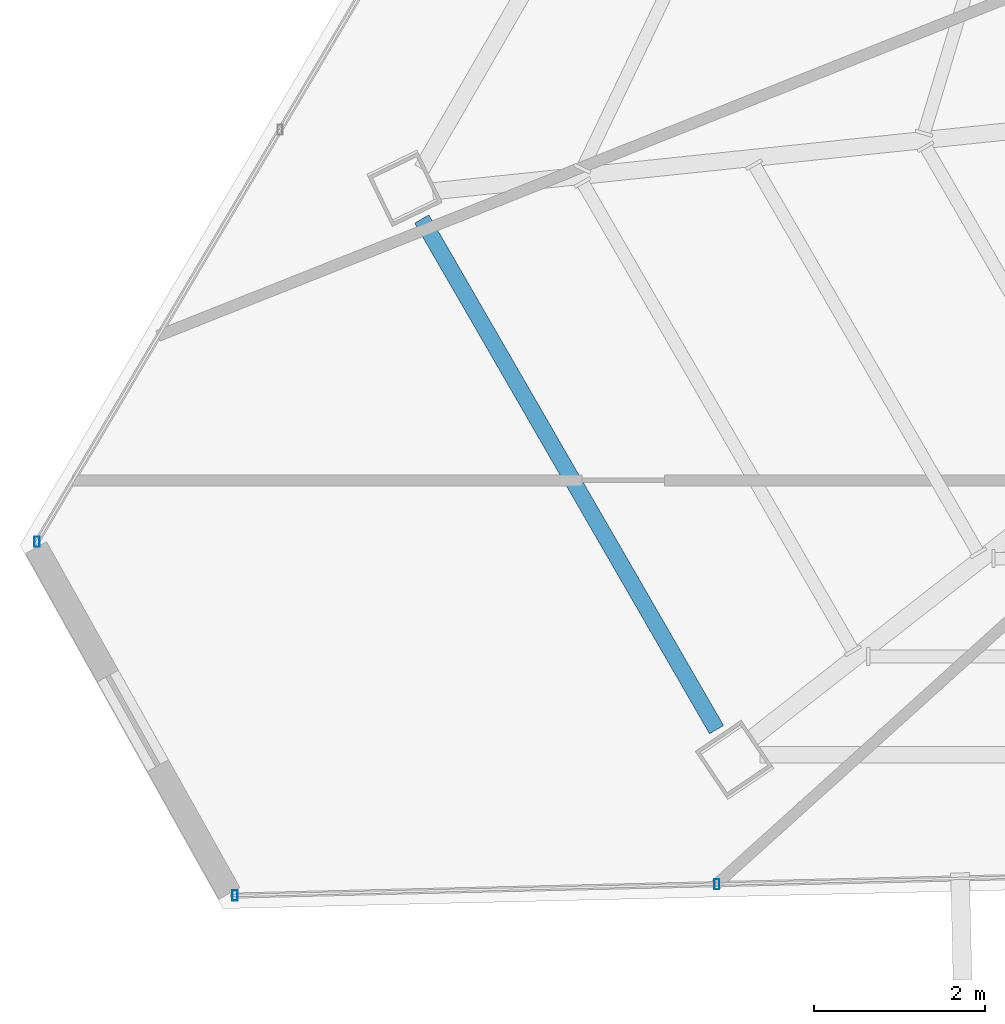
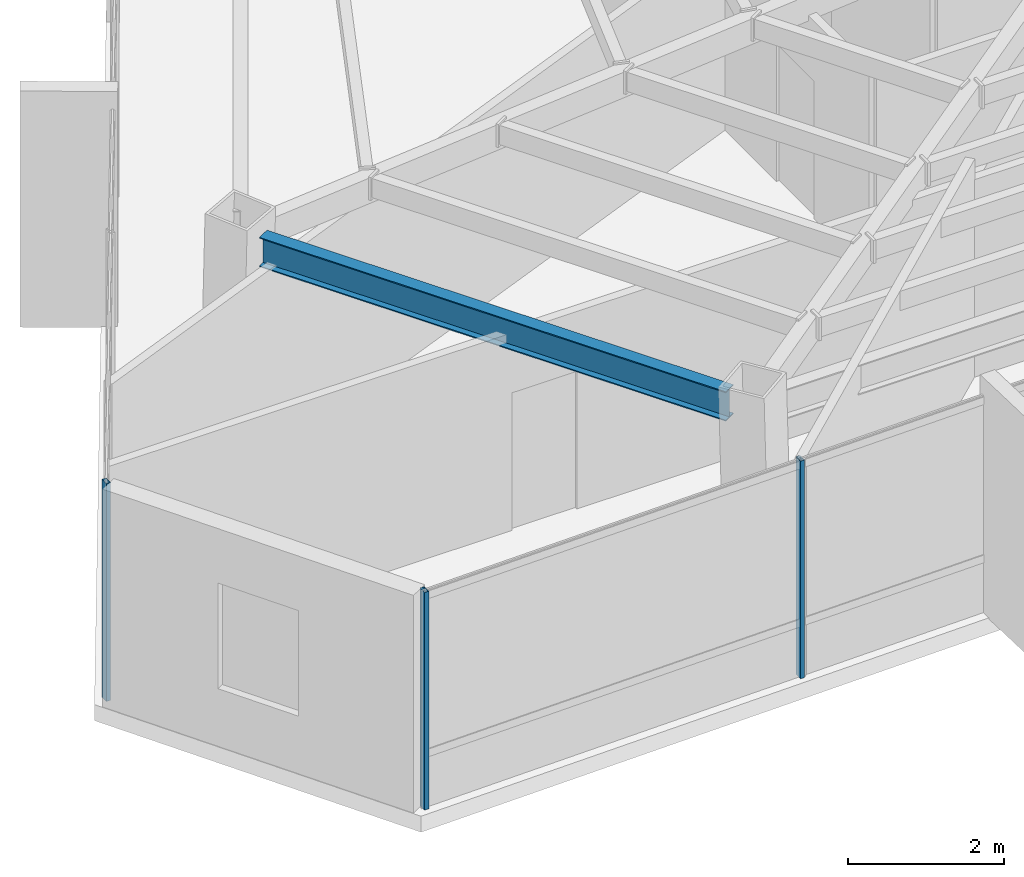
# One storey, part 3 of 47: 3 members, 1 beam, 2 elements without a shape of their own.
"""IFC4 building model written with IfcOpenShell, lengths in metres."""

from ifc_helpers import new_model, si_unit, direction, frame, origin, origin_2d, place, context, subcontext, project, spatial, hollow_rectangle, i_section, extrude, source, transform, mapped, material, material_profile, profile_set, type_object, type_shapes, element, aggregate, save


model = new_model("IFC4")

# Units and contexts
model_context = context("Model", 3, precision=1e-05, world=origin(), true_north=direction((0.0, 1.0)))
body_context = subcontext(model_context, "Body", "Model", "MODEL_VIEW")
ifc_project = project(units=[si_unit("LENGTHUNIT", "METRE"), si_unit("AREAUNIT", "SQUARE_METRE"), si_unit("VOLUMEUNIT", "CUBIC_METRE"), si_unit("PLANEANGLEUNIT", "RADIAN"), si_unit("MASSUNIT", "GRAM", prefix="KILO")], contexts=[model_context])

# Site, building, storey
site_placement = place(None, origin())
site = spatial("IfcSite", under=ifc_project, at=site_placement, CompositionType="ELEMENT")
building_placement = place(site_placement, origin())
building = spatial("IfcBuilding", under=site, at=building_placement, Name="Caelisora Broadcast Tower", CompositionType="ELEMENT")
storey_placement = place(building_placement, frame((0.0, 0.0, 255.39990234375)))
storey = spatial("IfcBuildingStorey", under=building, at=storey_placement, Name="L67", CompositionType="ELEMENT", Elevation=255.39990234375)

# Beam
ifc_material_1 = material(Name="Steel Grade 350 (AS/NZS 3679.1)", Category="steel")
ifc_material_profile_1 = material_profile(ifc_material_1, i_section(OverallWidth=0.19091796875, OverallDepth=0.46044921875, WebThickness=0.010009765625, FlangeThickness=0.01611328125, at=origin_2d()), Name="Steel Grade 350 (AS/NZS 3679.1)")
ifc_profile_set_1 = profile_set([ifc_material_profile_1], Name="Steel Grade 350 (AS/NZS 3679.1)")
beam_type = type_object("IfcBeamType", Name="PG06", PredefinedType="BEAM", material=ifc_profile_set_1)
shared_shape_1 = source(origin(), body_context, "Body", "SweptSolid", [
    extrude(i_section(OverallWidth=0.19091796875, OverallDepth=0.46044921875, WebThickness=0.010009765625, FlangeThickness=0.01611328125, at=origin_2d()), origin(), (0.0, 0.0, 1.0), 6.8896484375),
])
type_shapes(beam_type, [shared_shape_1])
beam_placement = place(storey_placement, frame((16.63671875, 15.6435546875, 3.169921875), z_axis=(0.500003634978, -0.866023305119, 0.0), x_axis=(0.866023305119, 0.500003634978, 0.0)))
element("IfcBeam", 1, at=beam_placement, inside=storey, type_object=beam_type, Name="L67 beam PG06", PredefinedType="BEAM", context=body_context, shape_type="MappedRepresentation", body=[
    mapped(shared_shape_1, transform((0.0, 0.0, 0.0), scale=1.0)),
])

# Curtain wall, members
ifc_material_2 = material(Name="Unitised Aluminium and Low-E Glass Curtain Wall", Category="glass")
curtain_wall_type = type_object("IfcCurtainWallType", Name="CW-Z5", PredefinedType="NOTDEFINED", material=ifc_material_2)
curtain_wall_1_placement = place(storey_placement, origin())
curtain_wall_1 = element("IfcCurtainWall", 2, at=curtain_wall_1_placement, inside=storey, type_object=curtain_wall_type, Name="L67 curtain wall CW-Z5", PredefinedType="NOTDEFINED")
ifc_material_3 = material(Name="Aluminium 6063-T6 Anodised Terracotta Bronze", Category="aluminium")
ifc_material_profile_2 = material_profile(ifc_material_3, hollow_rectangle(XDim=0.06005859375, YDim=0.1201171875, WallThickness=0.0029296875, at=origin_2d()), Name="Aluminium 6063-T6 Anodised Terracotta Bronze")
ifc_profile_set_2 = profile_set([ifc_material_profile_2], Name="Aluminium 6063-T6 Anodised Terracotta Bronze")
member_type = type_object("IfcMemberType", Name="CWM-04", PredefinedType="MULLION", material=ifc_profile_set_2)
shared_shape_2 = source(origin(), body_context, "Body", "SweptSolid", [
    extrude(hollow_rectangle(XDim=0.06005859375, YDim=0.1201171875, WallThickness=0.0029296875, at=origin_2d()), origin(), (0.0, 0.0, 1.0), 3.400146484375),
])
type_shapes(member_type, [shared_shape_2])
member_1_placement = place(storey_placement, frame((20.085205078125, 7.87109375, 0.0), z_axis=(0.0, 0.0, 1.0), x_axis=(1.0, 0.0, 0.0)))
member_1 = element("IfcMember", 3, at=member_1_placement, type_object=member_type, Name="L67-CW-B07 mullion #2", PredefinedType="MULLION", context=body_context, shape_type="MappedRepresentation", body=[
    mapped(shared_shape_2, transform((0.0, 0.0, 0.0), scale=1.0)),
])
member_2_placement = place(storey_placement, frame((14.4541015625, 7.73828125, 0.0), z_axis=(0.0, 0.0, 1.0), x_axis=(1.0, 0.0, 0.0)))
member_2 = element("IfcMember", 4, at=member_2_placement, type_object=member_type, Name="L67-CW-B07 mullion #3", PredefinedType="MULLION", context=body_context, shape_type="MappedRepresentation", body=[
    mapped(shared_shape_2, transform((0.0, 0.0, 0.0), scale=1.0)),
])
aggregate(curtain_wall_1, [member_1, member_2])

# Curtain wall, member
curtain_wall_2_placement = place(storey_placement, origin())
curtain_wall_2 = element("IfcCurtainWall", 5, at=curtain_wall_2_placement, inside=storey, type_object=curtain_wall_type, Name="L67 curtain wall CW-Z5", PredefinedType="NOTDEFINED")
member_3_placement = place(storey_placement, frame((12.140380859375, 11.873046875, 0.0), z_axis=(0.0, 0.0, 1.0), x_axis=(1.0, 0.0, 0.0)))
member_3 = element("IfcMember", 6, at=member_3_placement, type_object=member_type, Name="L67-CW-B09 mullion #0", PredefinedType="MULLION", context=body_context, shape_type="MappedRepresentation", body=[
    mapped(shared_shape_2, transform((0.0, 0.0, 0.0), scale=1.0)),
])
aggregate(curtain_wall_2, [member_3])

save(model, "model.ifc")
